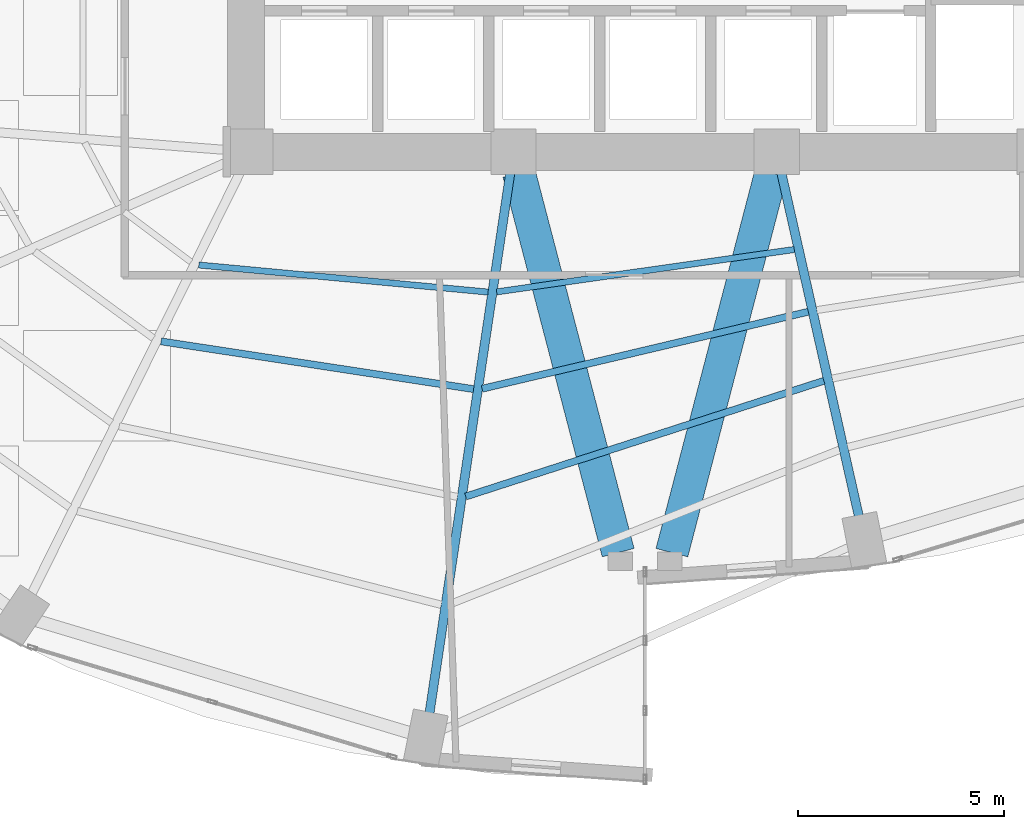
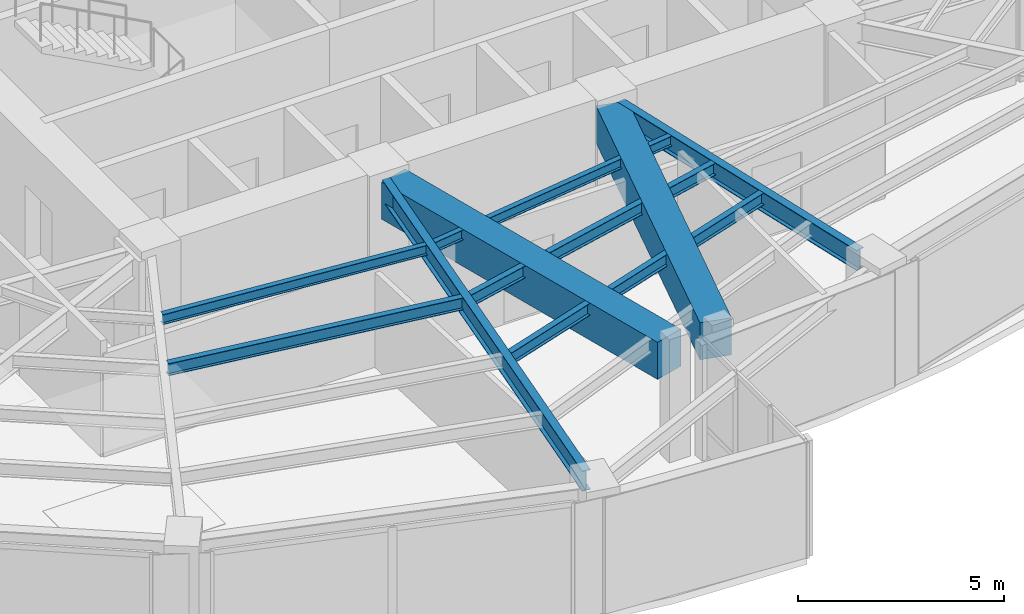
# One storey, part 7 of 25: 9 beams.
"""IFC4 building model written with IfcOpenShell, lengths in metres."""

from ifc_helpers import new_model, si_unit, direction, frame, origin, origin_2d, place, context, subcontext, project, spatial, rectangle, i_section, extrude, material, material_profile, profile_set, type_object, element, save


model = new_model("IFC4")

# Units and contexts
model_context = context("Model", 3, precision=1e-05, world=origin(), true_north=direction((0.0, 1.0)))
body_context = subcontext(model_context, "Body", "Model", "MODEL_VIEW")
ifc_project = project(units=[si_unit("LENGTHUNIT", "METRE"), si_unit("AREAUNIT", "SQUARE_METRE"), si_unit("VOLUMEUNIT", "CUBIC_METRE"), si_unit("PLANEANGLEUNIT", "RADIAN"), si_unit("MASSUNIT", "GRAM", prefix="KILO")], contexts=[model_context])

# Site, building, storey
site_placement = place(None, origin())
site = spatial("IfcSite", under=ifc_project, at=site_placement, CompositionType="ELEMENT")
building_placement = place(site_placement, origin())
building = spatial("IfcBuilding", under=site, at=building_placement, Name="Lazwardi Medical Tower", CompositionType="ELEMENT")
storey_placement = place(building_placement, frame((0.0, 0.0, 50.736083984375)))
storey = spatial("IfcBuildingStorey", under=building, at=storey_placement, Name="L12", CompositionType="ELEMENT", Elevation=50.736083984375)

# Beams
ifc_material_1 = material(Name="Concrete C70/85", Category="concrete")
ifc_material_profile_1 = material_profile(ifc_material_1, rectangle(XDim=0.800048828125, YDim=1.10009765625, at=origin_2d()), Name="RC 800x1100")
ifc_profile_set_1 = profile_set([ifc_material_profile_1], Name="Concrete C70/85")
beam_type_1 = type_object("IfcBeamType", Name="BM-CB-RC1", PredefinedType="LINTEL", material=ifc_profile_set_1)
for number, where, z_axis, x_axis, name in (
    (1, (32.935302734375, 19.88232421875, 2.8779296875), (0.252819877511, -0.967513364009, 0.0), (0.967513364009, 0.252819877511, 0.0), "Core coupling lintel CB-01 PL3 L12"),
    (2, (39.064697265625, 19.88232421875, 2.8779296875), (-0.252819877511, -0.967513364009, 0.0), (0.967513364009, -0.252819877511, 0.0), "Core coupling lintel CB-01 PL4 L12"),
):
    element("IfcBeam", number, at=place(storey_placement, frame(where, z_axis=z_axis, x_axis=x_axis)), inside=storey, type_object=beam_type_1, Name=name, PredefinedType="LINTEL", context=body_context, shape_type="SweptSolid", body=[
        extrude(rectangle(XDim=0.800048828125, YDim=1.10009765625, at=origin_2d()), origin(), (0.0, 0.0, 1.0), 9.538818359375),
    ])
ifc_material_2 = material(Name="Steel S355", Category="steel")
ifc_material_profile_2 = material_profile(ifc_material_2, i_section(OverallWidth=0.219970703125, OverallDepth=0.60009765625, WebThickness=0.011962890625, FlangeThickness=0.01904296875, at=origin_2d()), Name="IPE 600")
ifc_profile_set_2 = profile_set([ifc_material_profile_2], Name="Steel S355")
beam_type_2 = type_object("IfcBeamType", Name="BM-RG-W1", PredefinedType="BEAM", material=ifc_profile_set_2)
beam_1_placement = place(storey_placement, frame((41.203125, 11.521728515625, 3.1279296875), z_axis=(-0.22010079219, 0.975477135189, 0.0), x_axis=(-0.975477135189, -0.22010079219, 0.0)))
element("IfcBeam", 3, at=beam_1_placement, inside=storey, type_object=beam_type_2, Name="Radial girder RG-02 R01 L12", PredefinedType="BEAM", context=body_context, shape_type="SweptSolid", body=[
    extrude(i_section(OverallWidth=0.219970703125, OverallDepth=0.60009765625, WebThickness=0.011962890625, FlangeThickness=0.01904296875, at=origin_2d()), origin(), (0.0, 0.0, 1.0), 8.56640625),
])
beam_2_placement = place(storey_placement, frame((30.7548828125, 6.7294921875, 3.1279296875), z_axis=(0.147944218183, 0.98899570692, 0.0), x_axis=(-0.98899570692, 0.147944218183, 0.0)))
element("IfcBeam", 4, at=beam_2_placement, inside=storey, type_object=beam_type_2, Name="Radial girder RG-02 R16 L12", PredefinedType="BEAM", context=body_context, shape_type="SweptSolid", body=[
    extrude(i_section(OverallWidth=0.219970703125, OverallDepth=0.60009765625, WebThickness=0.011962890625, FlangeThickness=0.01904296875, at=origin_2d()), origin(), (0.0, 0.0, 1.0), 13.28759765625),
])
ifc_material_profile_3 = material_profile(ifc_material_2, i_section(OverallWidth=0.169921875, OverallDepth=0.360107421875, WebThickness=0.008056640625, FlangeThickness=0.0126953125, at=origin_2d()), Name="IPE 360")
ifc_profile_set_3 = profile_set([ifc_material_profile_3], Name="Steel S355")
beam_type_3 = type_object("IfcBeamType", Name="BM-SJ-02", PredefinedType="JOIST", material=ifc_profile_set_3)
beam_3_placement = place(storey_placement, frame((31.64111328125, 12.018310546875, 3.247802734375), z_axis=(0.951558895485, 0.307466532199, 0.0), x_axis=(-0.307466532199, 0.951558895485, 0.0)))
element("IfcBeam", 5, at=beam_3_placement, inside=storey, type_object=beam_type_3, Name="Secondary joist SJ-02 R2 B16 L12", PredefinedType="JOIST", context=body_context, shape_type="SweptSolid", body=[
    extrude(i_section(OverallWidth=0.169921875, OverallDepth=0.360107421875, WebThickness=0.008056640625, FlangeThickness=0.0126953125, at=origin_2d()), origin(), (0.0, 0.0, 1.0), 9.1513671875),
])
beam_4_placement = place(storey_placement, frame((24.23193359375, 15.790771484375, 3.247802734375), z_axis=(0.988535611365, -0.150987897074, 0.0), x_axis=(0.150987897074, 0.988535611365, 0.0)))
element("IfcBeam", 6, at=beam_4_placement, inside=storey, type_object=beam_type_3, Name="Secondary joist SJ-02 R3 B15 L12", PredefinedType="JOIST", context=body_context, shape_type="SweptSolid", body=[
    extrude(i_section(OverallWidth=0.169921875, OverallDepth=0.360107421875, WebThickness=0.008056640625, FlangeThickness=0.0126953125, at=origin_2d()), origin(), (0.0, 0.0, 1.0), 7.68701171875),
])
beam_5_placement = place(storey_placement, frame((32.03662109375, 14.638427734375, 3.247802734375), z_axis=(0.973240904247, 0.229787167397, 0.0), x_axis=(-0.229787167397, 0.973240904247, 0.0)))
element("IfcBeam", 7, at=beam_5_placement, inside=storey, type_object=beam_type_3, Name="Secondary joist SJ-02 R3 B16 L12", PredefinedType="JOIST", context=body_context, shape_type="SweptSolid", body=[
    extrude(i_section(OverallWidth=0.169921875, OverallDepth=0.360107421875, WebThickness=0.008056640625, FlangeThickness=0.0126953125, at=origin_2d()), origin(), (0.0, 0.0, 1.0), 8.151123046875),
])
ifc_material_profile_4 = material_profile(ifc_material_2, i_section(OverallWidth=0.14990234375, OverallDepth=0.300048828125, WebThickness=0.007080078125, FlangeThickness=0.0107421875, at=origin_2d()), Name="IPE 300")
ifc_profile_set_4 = profile_set([ifc_material_profile_4], Name="Steel S355")
beam_type_4 = type_object("IfcBeamType", Name="BM-SJ-03", PredefinedType="JOIST", material=ifc_profile_set_4)
beam_6_placement = place(storey_placement, frame((25.148193359375, 17.64794921875, 3.27783203125), z_axis=(0.995649263748, -0.093180167407, 0.0), x_axis=(0.093180167407, 0.995649263748, 0.0)))
element("IfcBeam", 8, at=beam_6_placement, inside=storey, type_object=beam_type_4, Name="Secondary joist SJ-03 R4 B15 L12", PredefinedType="JOIST", context=body_context, shape_type="SweptSolid", body=[
    extrude(i_section(OverallWidth=0.14990234375, OverallDepth=0.300048828125, WebThickness=0.007080078125, FlangeThickness=0.0107421875, at=origin_2d()), origin(), (0.0, 0.0, 1.0), 7.06640625),
])
beam_7_placement = place(storey_placement, frame((32.392333984375, 16.99462890625, 3.27783203125), z_axis=(0.99001552228, 0.140958382672, 0.0), x_axis=(-0.140958382672, 0.99001552228, 0.0)))
element("IfcBeam", 9, at=beam_7_placement, inside=storey, type_object=beam_type_4, Name="Secondary joist SJ-03 R4 B16 L12", PredefinedType="JOIST", context=body_context, shape_type="SweptSolid", body=[
    extrude(i_section(OverallWidth=0.14990234375, OverallDepth=0.300048828125, WebThickness=0.007080078125, FlangeThickness=0.0107421875, at=origin_2d()), origin(), (0.0, 0.0, 1.0), 7.30908203125),
])

save(model, "model.ifc")
